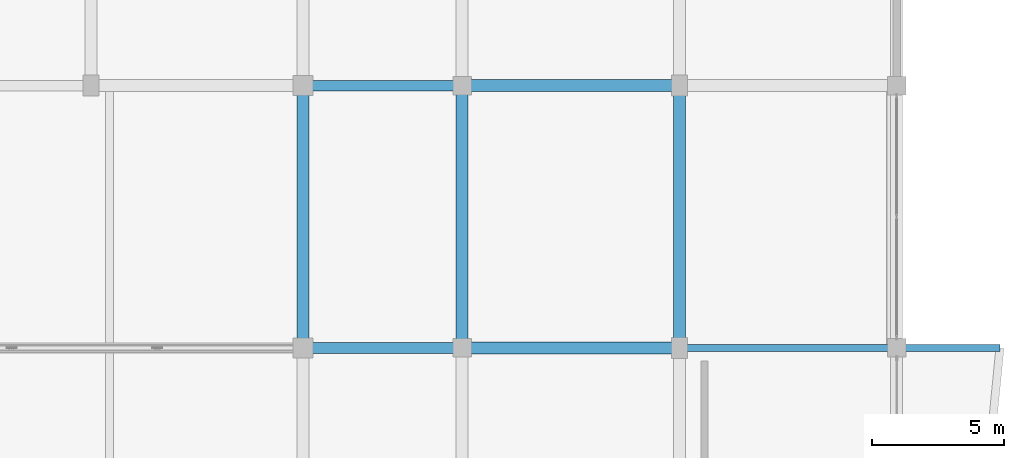
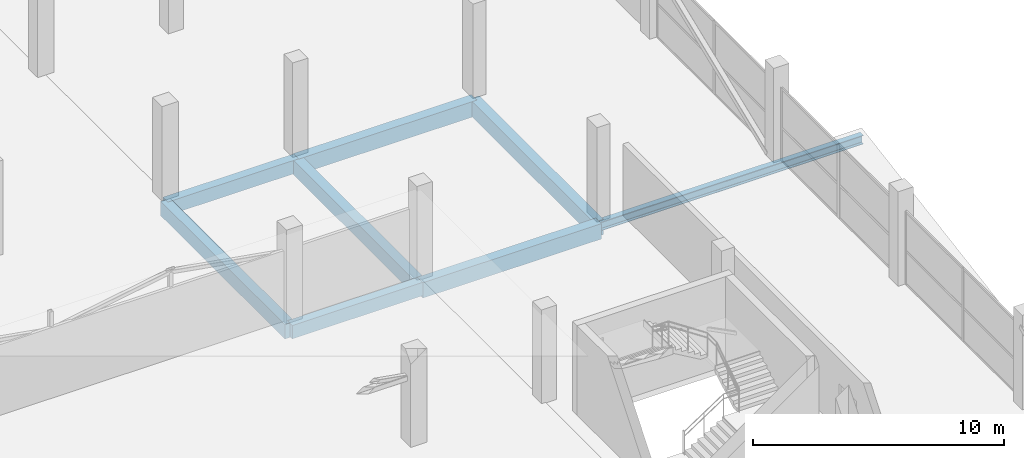
# One storey, part 28 of 58: 8 beams.
"""IFC4 building model written with IfcOpenShell, lengths in metres."""

from ifc_helpers import new_model, si_unit, direction, frame, origin, origin_2d, place, context, subcontext, project, spatial, rectangle, i_section, extrude, material, material_profile, profile_set, type_object, element, save


model = new_model("IFC4")

# Units and contexts
model_context = context("Model", 3, precision=1e-05, world=origin(), true_north=direction((0.0, 1.0)))
body_context = subcontext(model_context, "Body", "Model", "MODEL_VIEW")
ifc_project = project(units=[si_unit("LENGTHUNIT", "METRE"), si_unit("AREAUNIT", "SQUARE_METRE"), si_unit("VOLUMEUNIT", "CUBIC_METRE"), si_unit("PLANEANGLEUNIT", "RADIAN"), si_unit("MASSUNIT", "GRAM", prefix="KILO")], contexts=[model_context])

# Site, building, storey
site_placement = place(None, origin())
site = spatial("IfcSite", under=ifc_project, at=site_placement, CompositionType="ELEMENT")
building_placement = place(site_placement, origin())
building = spatial("IfcBuilding", under=site, at=building_placement, Name="Sillaruma Civic Art Gallery", CompositionType="ELEMENT")
storey_placement = place(building_placement, frame((0.0, 0.0, 28.56005859375)))
storey = spatial("IfcBuildingStorey", under=building, at=storey_placement, Name="L05", CompositionType="ELEMENT", Elevation=28.56005859375)

# Beams
ifc_material_1 = material(Name="Concrete H35 (35 MPa)", Category="concrete")
ifc_material_profile_1 = material_profile(ifc_material_1, rectangle(XDim=0.39990234375, YDim=0.64990234375, at=origin_2d()), Name="RCB400x650")
ifc_profile_set_1 = profile_set([ifc_material_profile_1], Name="Concrete H35 (35 MPa)")
beam_type_1 = type_object("IfcBeamType", Name="BM-BEAM-RCB400x650", PredefinedType="BEAM", material=ifc_profile_set_1)
for number, where, z_axis, x_axis, name in (
    (1, (92.0, 69.300048828125, -0.60498046875), (1.0, 0.0, 0.0), (0.0, 1.0, 0.0), "Beam BM-05 (L04:8:K-L)"),
    (2, (92.0, 79.199951171875, -0.60498046875), (1.0, 0.0, 0.0), (0.0, 1.0, 0.0), "Beam BM-05 (L04:9:K-L)"),
):
    element("IfcBeam", number, at=place(storey_placement, frame(where, z_axis=z_axis, x_axis=x_axis)), inside=storey, type_object=beam_type_1, Name=name, PredefinedType="BEAM", context=body_context, shape_type="SweptSolid", body=[
        extrude(rectangle(XDim=0.39990234375, YDim=0.64990234375, at=origin_2d()), origin(), (0.0, 0.0, 1.0), 6.0),
    ])
ifc_material_2 = material(Name="Concrete H40 (40 MPa)", Category="concrete")
ifc_material_profile_2 = material_profile(ifc_material_2, rectangle(XDim=0.449951171875, YDim=0.75, at=origin_2d()), Name="RCB450x750")
ifc_profile_set_2 = profile_set([ifc_material_profile_2], Name="Concrete H40 (40 MPa)")
beam_type_2 = type_object("IfcBeamType", Name="BM-BEAM-RCB450x750", PredefinedType="BEAM", material=ifc_profile_set_2)
for number, where, z_axis, x_axis, name in (
    (3, (98.0, 69.300048828125, -0.655029296875), (1.0, 0.0, 0.0), (0.0, 1.0, 0.0), "Beam BM-03 (L04:8:L-M)"),
    (4, (98.0, 79.199951171875, -0.655029296875), (1.0, 0.0, 0.0), (0.0, 1.0, 0.0), "Beam BM-03 (L04:9:L-M)"),
):
    element("IfcBeam", number, at=place(storey_placement, frame(where, z_axis=z_axis, x_axis=x_axis)), inside=storey, type_object=beam_type_2, Name=name, PredefinedType="BEAM", context=body_context, shape_type="SweptSolid", body=[
        extrude(rectangle(XDim=0.449951171875, YDim=0.75, at=origin_2d()), origin(), (0.0, 0.0, 1.0), 8.199951171875),
    ])
beam_1_placement = place(storey_placement, frame((106.199951171875, 69.300048828125, -0.655029296875), z_axis=(0.0, 1.0, 0.0), x_axis=(-1.0, 0.0, 0.0)))
element("IfcBeam", 5, at=beam_1_placement, inside=storey, type_object=beam_type_2, Name="Beam BM-03 (L04:M:8-9)", PredefinedType="BEAM", context=body_context, shape_type="SweptSolid", body=[
    extrude(rectangle(XDim=0.449951171875, YDim=0.75, at=origin_2d()), origin(), (0.0, 0.0, 1.0), 9.89990234375),
])
ifc_material_3 = material(Name="Structural Steel ASTM A992 Gr.50", Category="steel")
ifc_material_profile_3 = material_profile(ifc_material_3, i_section(OverallWidth=0.264892578125, OverallDepth=0.430908203125, WebThickness=0.014892578125, FlangeThickness=0.02490234375, FilletRadius=0.012939453125, at=origin_2d()), Name="W410x149")
ifc_profile_set_3 = profile_set([ifc_material_profile_3], Name="Structural Steel ASTM A992 Gr.50")
beam_type_3 = type_object("IfcBeamType", Name="BM-PROW-W410x149", PredefinedType="BEAM", material=ifc_profile_set_3)
beam_2_placement = place(storey_placement, frame((106.199951171875, 69.300048828125, -0.49560546875), z_axis=(1.0, 0.0, 0.0), x_axis=(0.0, 1.0, 0.0)))
element("IfcBeam", 6, at=beam_2_placement, inside=storey, type_object=beam_type_3, Name="Back-Spanned Prow Beam (PRW-L04-E-ROF-N)", PredefinedType="BEAM", context=body_context, shape_type="SweptSolid", body=[
    extrude(i_section(OverallWidth=0.264892578125, OverallDepth=0.430908203125, WebThickness=0.014892578125, FlangeThickness=0.02490234375, FilletRadius=0.012939453125, at=origin_2d()), origin(), (0.0, 0.0, 1.0), 12.10009765625),
])
ifc_material_profile_4 = material_profile(ifc_material_1, rectangle(XDim=0.449951171875, YDim=0.699951171875, at=origin_2d()), Name="RCB450x700")
ifc_profile_set_4 = profile_set([ifc_material_profile_4], Name="Concrete H35 (35 MPa)")
beam_type_4 = type_object("IfcBeamType", Name="BM-SPANDREL-RCB450x700", PredefinedType="SPANDREL", material=ifc_profile_set_4)
for number, where, z_axis, x_axis, name in (
    (7, (92.0, 69.300048828125, -0.630126953125), (0.0, 1.0, 0.0), (-1.0, 0.0, 0.0), "Beam BS-03 (L04:K:8-9)"),
    (8, (98.0, 69.300048828125, -0.630126953125), (0.0, 1.0, 0.0), (-1.0, 0.0, 0.0), "Beam BS-03 (L04:L:8-9)"),
):
    element("IfcBeam", number, at=place(storey_placement, frame(where, z_axis=z_axis, x_axis=x_axis)), inside=storey, type_object=beam_type_4, Name=name, PredefinedType="SPANDREL", context=body_context, shape_type="SweptSolid", body=[
        extrude(rectangle(XDim=0.449951171875, YDim=0.699951171875, at=origin_2d()), origin(), (0.0, 0.0, 1.0), 9.89990234375),
    ])

save(model, "model.ifc")
